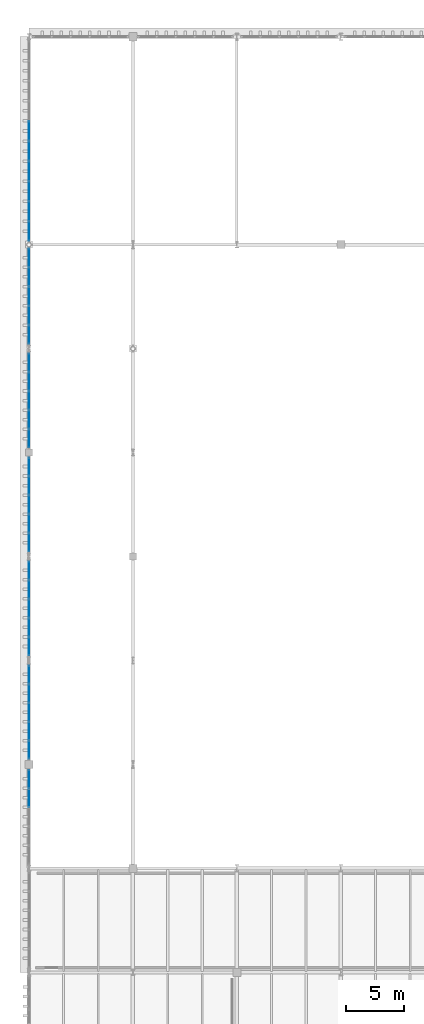
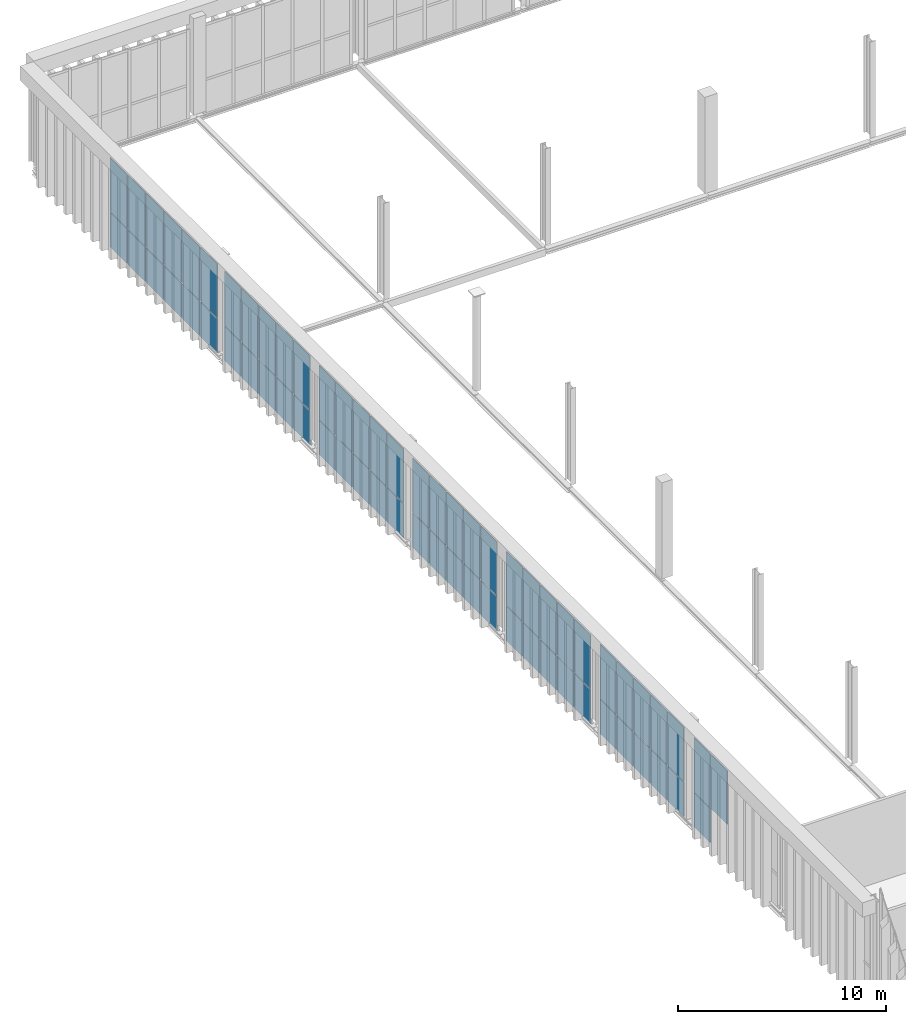
# One storey, part 187 of 237: 65 plates, 7 elements without a shape of their own.
"""IFC4 building model written with IfcOpenShell, lengths in metres."""

from ifc_helpers import new_model, si_unit, direction, frame, origin, origin_2d, place, context, subcontext, project, spatial, rectangle, extrude, material, layer, layer_set, type_object, element, aggregate, save


model = new_model("IFC4")

# Units and contexts
model_context = context("Model", 3, precision=1e-05, world=origin(), true_north=direction((0.0, 1.0)))
body_context = subcontext(model_context, "Body", "Model", "MODEL_VIEW")
ifc_project = project(units=[si_unit("LENGTHUNIT", "METRE"), si_unit("AREAUNIT", "SQUARE_METRE"), si_unit("VOLUMEUNIT", "CUBIC_METRE"), si_unit("PLANEANGLEUNIT", "RADIAN"), si_unit("MASSUNIT", "GRAM", prefix="KILO")], contexts=[model_context])

# Site, building, storey
site_placement = place(None, origin())
site = spatial("IfcSite", under=ifc_project, at=site_placement, CompositionType="ELEMENT")
building_placement = place(site_placement, origin())
building = spatial("IfcBuilding", under=site, at=building_placement, Name="Barlavento Convention Centre", CompositionType="ELEMENT")
storey_placement = place(building_placement, frame((0.0, 0.0, 12.0)))
storey = spatial("IfcBuildingStorey", under=building, at=storey_placement, Name="L02", CompositionType="ELEMENT", Elevation=12.0)

# Curtain wall, plates
ifc_material_1 = material(Name="Powder-coated aluminium and Low-E glass", Category="aluminium")
ifc_layer_1 = layer(ifc_material_1, 0.18505859375)
ifc_layer_set_1 = layer_set([ifc_layer_1], Name="ARC-CW-EXH-L02")
curtain_wall_type = type_object("IfcCurtainWallType", Name="ARC-CW-EXH-L02", PredefinedType="NOTDEFINED", material=ifc_layer_set_1)
curtain_wall_1_placement = place(storey_placement, origin())
curtain_wall_1 = element("IfcCurtainWall", 1, at=curtain_wall_1_placement, inside=storey, type_object=curtain_wall_type, Name="L02 unitised curtain wall CW05", PredefinedType="NOTDEFINED")
ifc_material_2 = material(Name="Insulated spandrel glass panel", Category="glass")
ifc_layer_2 = layer(ifc_material_2, 0.0400390625)
ifc_layer_set_2 = layer_set([ifc_layer_2], Name="ARC-CWP-SPN40")
plate_type = type_object("IfcPlateType", Name="ARC-CWP-SPN40", PredefinedType="CURTAIN_PANEL", material=ifc_layer_set_2)
plate_1_placement = place(storey_placement, frame((0.0, 69.1015625, 1.6298828125), z_axis=(0.0, 0.0, 1.0), x_axis=(0.0, 1.0, 0.0)))
plate_1 = element("IfcPlate", 2, at=plate_1_placement, type_object=plate_type, Name="CW05 panel 4.2", PredefinedType="CURTAIN_PANEL", context=body_context, shape_type="SweptSolid", body=[
    extrude(rectangle(XDim=1.58056640625, YDim=0.0400390625, at=origin_2d()), origin(), (0.0, 0.0, 1.0), 3.159912109375),
])
plate_2_placement = place(storey_placement, frame((0.0, 70.73095703125, -0.43994140625), z_axis=(0.0, 0.0, 1.0), x_axis=(0.0, 1.0, 0.0)))
plate_2 = element("IfcPlate", 3, at=plate_2_placement, type_object=plate_type, Name="CW05 panel 5.1", PredefinedType="CURTAIN_PANEL", context=body_context, shape_type="SweptSolid", body=[
    extrude(rectangle(XDim=1.548095703125, YDim=0.0400390625, at=origin_2d()), origin(), (0.0, 0.0, 1.0), 2.010009765625),
])
plate_3_placement = place(storey_placement, frame((0.0, 70.73095703125, 1.6298828125), z_axis=(0.0, 0.0, 1.0), x_axis=(0.0, 1.0, 0.0)))
plate_3 = element("IfcPlate", 4, at=plate_3_placement, type_object=plate_type, Name="CW05 panel 5.2", PredefinedType="CURTAIN_PANEL", context=body_context, shape_type="SweptSolid", body=[
    extrude(rectangle(XDim=1.548095703125, YDim=0.0400390625, at=origin_2d()), origin(), (0.0, 0.0, 1.0), 3.159912109375),
])
aggregate(curtain_wall_1, [plate_1, plate_2, plate_3])

curtain_wall_2_placement = place(storey_placement, origin())
curtain_wall_2 = element("IfcCurtainWall", 5, at=curtain_wall_2_placement, inside=storey, type_object=curtain_wall_type, Name="L02 unitised curtain wall CW05", PredefinedType="NOTDEFINED")
plate_4_placement = place(storey_placement, frame((0.0, 73.26416015625, -0.43994140625), z_axis=(0.0, 0.0, 1.0), x_axis=(0.0, 1.0, 0.0)))
plate_4 = element("IfcPlate", 6, at=plate_4_placement, type_object=plate_type, Name="CW05 panel 1.1", PredefinedType="CURTAIN_PANEL", context=body_context, shape_type="SweptSolid", body=[
    extrude(rectangle(XDim=1.53857421875, YDim=0.0400390625, at=origin_2d()), origin(), (0.0, 0.0, 1.0), 2.010009765625),
])
plate_5_placement = place(storey_placement, frame((0.0, 73.26416015625, 1.6298828125), z_axis=(0.0, 0.0, 1.0), x_axis=(0.0, 1.0, 0.0)))
plate_5 = element("IfcPlate", 7, at=plate_5_placement, type_object=plate_type, Name="CW05 panel 1.2", PredefinedType="CURTAIN_PANEL", context=body_context, shape_type="SweptSolid", body=[
    extrude(rectangle(XDim=1.53857421875, YDim=0.0400390625, at=origin_2d()), origin(), (0.0, 0.0, 1.0), 3.159912109375),
])
plate_6_placement = place(storey_placement, frame((0.0, 74.884033203125, -0.43994140625), z_axis=(0.0, 0.0, 1.0), x_axis=(0.0, 1.0, 0.0)))
plate_6 = element("IfcPlate", 8, at=plate_6_placement, type_object=plate_type, Name="CW05 panel 2.1", PredefinedType="CURTAIN_PANEL", context=body_context, shape_type="SweptSolid", body=[
    extrude(rectangle(XDim=1.571044921875, YDim=0.0400390625, at=origin_2d()), origin(), (0.0, 0.0, 1.0), 2.010009765625),
])
plate_7_placement = place(storey_placement, frame((0.0, 74.884033203125, 1.6298828125), z_axis=(0.0, 0.0, 1.0), x_axis=(0.0, 1.0, 0.0)))
plate_7 = element("IfcPlate", 9, at=plate_7_placement, type_object=plate_type, Name="CW05 panel 2.2", PredefinedType="CURTAIN_PANEL", context=body_context, shape_type="SweptSolid", body=[
    extrude(rectangle(XDim=1.571044921875, YDim=0.0400390625, at=origin_2d()), origin(), (0.0, 0.0, 1.0), 3.159912109375),
])
plate_8_placement = place(storey_placement, frame((0.0, 76.52001953125, -0.43994140625), z_axis=(0.0, 0.0, 1.0), x_axis=(0.0, 1.0, 0.0)))
plate_8 = element("IfcPlate", 10, at=plate_8_placement, type_object=plate_type, Name="CW05 panel 3.1", PredefinedType="CURTAIN_PANEL", context=body_context, shape_type="SweptSolid", body=[
    extrude(rectangle(XDim=1.571044921875, YDim=0.0400390625, at=origin_2d()), origin(), (0.0, 0.0, 1.0), 2.010009765625),
])
plate_9_placement = place(storey_placement, frame((0.0, 76.52001953125, 1.6298828125), z_axis=(0.0, 0.0, 1.0), x_axis=(0.0, 1.0, 0.0)))
plate_9 = element("IfcPlate", 11, at=plate_9_placement, type_object=plate_type, Name="CW05 panel 3.2", PredefinedType="CURTAIN_PANEL", context=body_context, shape_type="SweptSolid", body=[
    extrude(rectangle(XDim=1.571044921875, YDim=0.0400390625, at=origin_2d()), origin(), (0.0, 0.0, 1.0), 3.159912109375),
])
plate_10_placement = place(storey_placement, frame((0.0, 78.156005859375, -0.43994140625), z_axis=(0.0, 0.0, 1.0), x_axis=(0.0, 1.0, 0.0)))
plate_10 = element("IfcPlate", 12, at=plate_10_placement, type_object=plate_type, Name="CW05 panel 4.1", PredefinedType="CURTAIN_PANEL", context=body_context, shape_type="SweptSolid", body=[
    extrude(rectangle(XDim=1.571044921875, YDim=0.0400390625, at=origin_2d()), origin(), (0.0, 0.0, 1.0), 2.010009765625),
])
plate_11_placement = place(storey_placement, frame((0.0, 78.156005859375, 1.6298828125), z_axis=(0.0, 0.0, 1.0), x_axis=(0.0, 1.0, 0.0)))
plate_11 = element("IfcPlate", 13, at=plate_11_placement, type_object=plate_type, Name="CW05 panel 4.2", PredefinedType="CURTAIN_PANEL", context=body_context, shape_type="SweptSolid", body=[
    extrude(rectangle(XDim=1.571044921875, YDim=0.0400390625, at=origin_2d()), origin(), (0.0, 0.0, 1.0), 3.159912109375),
])
plate_12_placement = place(storey_placement, frame((0.0, 79.775634765625, -0.43994140625), z_axis=(0.0, 0.0, 1.0), x_axis=(0.0, 1.0, 0.0)))
plate_12 = element("IfcPlate", 14, at=plate_12_placement, type_object=plate_type, Name="CW05 panel 5.1", PredefinedType="CURTAIN_PANEL", context=body_context, shape_type="SweptSolid", body=[
    extrude(rectangle(XDim=1.53857421875, YDim=0.0400390625, at=origin_2d()), origin(), (0.0, 0.0, 1.0), 2.010009765625),
])
plate_13_placement = place(storey_placement, frame((0.0, 79.775634765625, 1.6298828125), z_axis=(0.0, 0.0, 1.0), x_axis=(0.0, 1.0, 0.0)))
plate_13 = element("IfcPlate", 15, at=plate_13_placement, type_object=plate_type, Name="CW05 panel 5.2", PredefinedType="CURTAIN_PANEL", context=body_context, shape_type="SweptSolid", body=[
    extrude(rectangle(XDim=1.53857421875, YDim=0.0400390625, at=origin_2d()), origin(), (0.0, 0.0, 1.0), 3.159912109375),
])
aggregate(curtain_wall_2, [plate_4, plate_5, plate_6, plate_7, plate_8, plate_9, plate_10, plate_11, plate_12, plate_13])

curtain_wall_3_placement = place(storey_placement, origin())
curtain_wall_3 = element("IfcCurtainWall", 16, at=curtain_wall_3_placement, inside=storey, type_object=curtain_wall_type, Name="L02 unitised curtain wall CW05", PredefinedType="NOTDEFINED")
plate_14_placement = place(storey_placement, frame((0.0, 82.229248046875, -0.43994140625), z_axis=(0.0, 0.0, 1.0), x_axis=(0.0, 1.0, 0.0)))
plate_14 = element("IfcPlate", 17, at=plate_14_placement, type_object=plate_type, Name="CW05 panel 1.1", PredefinedType="CURTAIN_PANEL", context=body_context, shape_type="SweptSolid", body=[
    extrude(rectangle(XDim=1.548583984375, YDim=0.0400390625, at=origin_2d()), origin(), (0.0, 0.0, 1.0), 2.010009765625),
])
plate_15_placement = place(storey_placement, frame((0.0, 82.229248046875, 1.6298828125), z_axis=(0.0, 0.0, 1.0), x_axis=(0.0, 1.0, 0.0)))
plate_15 = element("IfcPlate", 18, at=plate_15_placement, type_object=plate_type, Name="CW05 panel 1.2", PredefinedType="CURTAIN_PANEL", context=body_context, shape_type="SweptSolid", body=[
    extrude(rectangle(XDim=1.548583984375, YDim=0.0400390625, at=origin_2d()), origin(), (0.0, 0.0, 1.0), 3.159912109375),
])
plate_16_placement = place(storey_placement, frame((0.0, 83.85888671875, -0.43994140625), z_axis=(0.0, 0.0, 1.0), x_axis=(0.0, 1.0, 0.0)))
plate_16 = element("IfcPlate", 19, at=plate_16_placement, type_object=plate_type, Name="CW05 panel 2.1", PredefinedType="CURTAIN_PANEL", context=body_context, shape_type="SweptSolid", body=[
    extrude(rectangle(XDim=1.5810546875, YDim=0.0400390625, at=origin_2d()), origin(), (0.0, 0.0, 1.0), 2.010009765625),
])
plate_17_placement = place(storey_placement, frame((0.0, 83.85888671875, 1.6298828125), z_axis=(0.0, 0.0, 1.0), x_axis=(0.0, 1.0, 0.0)))
plate_17 = element("IfcPlate", 20, at=plate_17_placement, type_object=plate_type, Name="CW05 panel 2.2", PredefinedType="CURTAIN_PANEL", context=body_context, shape_type="SweptSolid", body=[
    extrude(rectangle(XDim=1.5810546875, YDim=0.0400390625, at=origin_2d()), origin(), (0.0, 0.0, 1.0), 3.159912109375),
])
plate_18_placement = place(storey_placement, frame((0.0, 85.5048828125, -0.43994140625), z_axis=(0.0, 0.0, 1.0), x_axis=(0.0, 1.0, 0.0)))
plate_18 = element("IfcPlate", 21, at=plate_18_placement, type_object=plate_type, Name="CW05 panel 3.1", PredefinedType="CURTAIN_PANEL", context=body_context, shape_type="SweptSolid", body=[
    extrude(rectangle(XDim=1.5810546875, YDim=0.0400390625, at=origin_2d()), origin(), (0.0, 0.0, 1.0), 2.010009765625),
])
plate_19_placement = place(storey_placement, frame((0.0, 85.5048828125, 1.6298828125), z_axis=(0.0, 0.0, 1.0), x_axis=(0.0, 1.0, 0.0)))
plate_19 = element("IfcPlate", 22, at=plate_19_placement, type_object=plate_type, Name="CW05 panel 3.2", PredefinedType="CURTAIN_PANEL", context=body_context, shape_type="SweptSolid", body=[
    extrude(rectangle(XDim=1.5810546875, YDim=0.0400390625, at=origin_2d()), origin(), (0.0, 0.0, 1.0), 3.159912109375),
])
plate_20_placement = place(storey_placement, frame((0.0, 87.15087890625, -0.43994140625), z_axis=(0.0, 0.0, 1.0), x_axis=(0.0, 1.0, 0.0)))
plate_20 = element("IfcPlate", 23, at=plate_20_placement, type_object=plate_type, Name="CW05 panel 4.1", PredefinedType="CURTAIN_PANEL", context=body_context, shape_type="SweptSolid", body=[
    extrude(rectangle(XDim=1.5810546875, YDim=0.0400390625, at=origin_2d()), origin(), (0.0, 0.0, 1.0), 2.010009765625),
])
plate_21_placement = place(storey_placement, frame((0.0, 87.15087890625, 1.6298828125), z_axis=(0.0, 0.0, 1.0), x_axis=(0.0, 1.0, 0.0)))
plate_21 = element("IfcPlate", 24, at=plate_21_placement, type_object=plate_type, Name="CW05 panel 4.2", PredefinedType="CURTAIN_PANEL", context=body_context, shape_type="SweptSolid", body=[
    extrude(rectangle(XDim=1.5810546875, YDim=0.0400390625, at=origin_2d()), origin(), (0.0, 0.0, 1.0), 3.159912109375),
])
plate_22_placement = place(storey_placement, frame((0.0, 88.78076171875, -0.43994140625), z_axis=(0.0, 0.0, 1.0), x_axis=(0.0, 1.0, 0.0)))
plate_22 = element("IfcPlate", 25, at=plate_22_placement, type_object=plate_type, Name="CW05 panel 5.1", PredefinedType="CURTAIN_PANEL", context=body_context, shape_type="SweptSolid", body=[
    extrude(rectangle(XDim=1.548583984375, YDim=0.0400390625, at=origin_2d()), origin(), (0.0, 0.0, 1.0), 2.010009765625),
])
plate_23_placement = place(storey_placement, frame((0.0, 88.78076171875, 1.6298828125), z_axis=(0.0, 0.0, 1.0), x_axis=(0.0, 1.0, 0.0)))
plate_23 = element("IfcPlate", 26, at=plate_23_placement, type_object=plate_type, Name="CW05 panel 5.2", PredefinedType="CURTAIN_PANEL", context=body_context, shape_type="SweptSolid", body=[
    extrude(rectangle(XDim=1.548583984375, YDim=0.0400390625, at=origin_2d()), origin(), (0.0, 0.0, 1.0), 3.159912109375),
])
aggregate(curtain_wall_3, [plate_14, plate_15, plate_16, plate_17, plate_18, plate_19, plate_20, plate_21, plate_22, plate_23])

curtain_wall_4_placement = place(storey_placement, origin())
curtain_wall_4 = element("IfcCurtainWall", 27, at=curtain_wall_4_placement, inside=storey, type_object=curtain_wall_type, Name="L02 unitised curtain wall CW05", PredefinedType="NOTDEFINED")
plate_24_placement = place(storey_placement, frame((0.0, 91.22021484375, -0.43994140625), z_axis=(0.0, 0.0, 1.0), x_axis=(0.0, 1.0, 0.0)))
plate_24 = element("IfcPlate", 28, at=plate_24_placement, type_object=plate_type, Name="CW05 panel 1.1", PredefinedType="CURTAIN_PANEL", context=body_context, shape_type="SweptSolid", body=[
    extrude(rectangle(XDim=1.550537109375, YDim=0.0400390625, at=origin_2d()), origin(), (0.0, 0.0, 1.0), 2.010009765625),
])
plate_25_placement = place(storey_placement, frame((0.0, 91.22021484375, 1.6298828125), z_axis=(0.0, 0.0, 1.0), x_axis=(0.0, 1.0, 0.0)))
plate_25 = element("IfcPlate", 29, at=plate_25_placement, type_object=plate_type, Name="CW05 panel 1.2", PredefinedType="CURTAIN_PANEL", context=body_context, shape_type="SweptSolid", body=[
    extrude(rectangle(XDim=1.550537109375, YDim=0.0400390625, at=origin_2d()), origin(), (0.0, 0.0, 1.0), 3.159912109375),
])
plate_26_placement = place(storey_placement, frame((0.0, 92.85205078125, -0.43994140625), z_axis=(0.0, 0.0, 1.0), x_axis=(0.0, 1.0, 0.0)))
plate_26 = element("IfcPlate", 30, at=plate_26_placement, type_object=plate_type, Name="CW05 panel 2.1", PredefinedType="CURTAIN_PANEL", context=body_context, shape_type="SweptSolid", body=[
    extrude(rectangle(XDim=1.5830078125, YDim=0.0400390625, at=origin_2d()), origin(), (0.0, 0.0, 1.0), 2.010009765625),
])
plate_27_placement = place(storey_placement, frame((0.0, 92.85205078125, 1.6298828125), z_axis=(0.0, 0.0, 1.0), x_axis=(0.0, 1.0, 0.0)))
plate_27 = element("IfcPlate", 31, at=plate_27_placement, type_object=plate_type, Name="CW05 panel 2.2", PredefinedType="CURTAIN_PANEL", context=body_context, shape_type="SweptSolid", body=[
    extrude(rectangle(XDim=1.5830078125, YDim=0.0400390625, at=origin_2d()), origin(), (0.0, 0.0, 1.0), 3.159912109375),
])
plate_28_placement = place(storey_placement, frame((0.0, 94.5, -0.43994140625), z_axis=(0.0, 0.0, 1.0), x_axis=(0.0, 1.0, 0.0)))
plate_28 = element("IfcPlate", 32, at=plate_28_placement, type_object=plate_type, Name="CW05 panel 3.1", PredefinedType="CURTAIN_PANEL", context=body_context, shape_type="SweptSolid", body=[
    extrude(rectangle(XDim=1.5830078125, YDim=0.0400390625, at=origin_2d()), origin(), (0.0, 0.0, 1.0), 2.010009765625),
])
plate_29_placement = place(storey_placement, frame((0.0, 94.5, 1.6298828125), z_axis=(0.0, 0.0, 1.0), x_axis=(0.0, 1.0, 0.0)))
plate_29 = element("IfcPlate", 33, at=plate_29_placement, type_object=plate_type, Name="CW05 panel 3.2", PredefinedType="CURTAIN_PANEL", context=body_context, shape_type="SweptSolid", body=[
    extrude(rectangle(XDim=1.5830078125, YDim=0.0400390625, at=origin_2d()), origin(), (0.0, 0.0, 1.0), 3.159912109375),
])
plate_30_placement = place(storey_placement, frame((0.0, 96.14794921875, -0.43994140625), z_axis=(0.0, 0.0, 1.0), x_axis=(0.0, 1.0, 0.0)))
plate_30 = element("IfcPlate", 34, at=plate_30_placement, type_object=plate_type, Name="CW05 panel 4.1", PredefinedType="CURTAIN_PANEL", context=body_context, shape_type="SweptSolid", body=[
    extrude(rectangle(XDim=1.5830078125, YDim=0.0400390625, at=origin_2d()), origin(), (0.0, 0.0, 1.0), 2.010009765625),
])
plate_31_placement = place(storey_placement, frame((0.0, 96.14794921875, 1.6298828125), z_axis=(0.0, 0.0, 1.0), x_axis=(0.0, 1.0, 0.0)))
plate_31 = element("IfcPlate", 35, at=plate_31_placement, type_object=plate_type, Name="CW05 panel 4.2", PredefinedType="CURTAIN_PANEL", context=body_context, shape_type="SweptSolid", body=[
    extrude(rectangle(XDim=1.5830078125, YDim=0.0400390625, at=origin_2d()), origin(), (0.0, 0.0, 1.0), 3.159912109375),
])
plate_32_placement = place(storey_placement, frame((0.0, 97.77978515625, -0.43994140625), z_axis=(0.0, 0.0, 1.0), x_axis=(0.0, 1.0, 0.0)))
plate_32 = element("IfcPlate", 36, at=plate_32_placement, type_object=plate_type, Name="CW05 panel 5.1", PredefinedType="CURTAIN_PANEL", context=body_context, shape_type="SweptSolid", body=[
    extrude(rectangle(XDim=1.550537109375, YDim=0.0400390625, at=origin_2d()), origin(), (0.0, 0.0, 1.0), 2.010009765625),
])
plate_33_placement = place(storey_placement, frame((0.0, 97.77978515625, 1.6298828125), z_axis=(0.0, 0.0, 1.0), x_axis=(0.0, 1.0, 0.0)))
plate_33 = element("IfcPlate", 37, at=plate_33_placement, type_object=plate_type, Name="CW05 panel 5.2", PredefinedType="CURTAIN_PANEL", context=body_context, shape_type="SweptSolid", body=[
    extrude(rectangle(XDim=1.550537109375, YDim=0.0400390625, at=origin_2d()), origin(), (0.0, 0.0, 1.0), 3.159912109375),
])
aggregate(curtain_wall_4, [plate_24, plate_25, plate_26, plate_27, plate_28, plate_29, plate_30, plate_31, plate_32, plate_33])

curtain_wall_5_placement = place(storey_placement, origin())
curtain_wall_5 = element("IfcCurtainWall", 38, at=curtain_wall_5_placement, inside=storey, type_object=curtain_wall_type, Name="L02 unitised curtain wall CW05", PredefinedType="NOTDEFINED")
plate_34_placement = place(storey_placement, frame((0.0, 100.2216796875, -0.43994140625), z_axis=(0.0, 0.0, 1.0), x_axis=(0.0, 1.0, 0.0)))
plate_34 = element("IfcPlate", 39, at=plate_34_placement, type_object=plate_type, Name="CW05 panel 1.1", PredefinedType="CURTAIN_PANEL", context=body_context, shape_type="SweptSolid", body=[
    extrude(rectangle(XDim=1.55322265625, YDim=0.0400390625, at=origin_2d()), origin(), (0.0, 0.0, 1.0), 2.010009765625),
])
plate_35_placement = place(storey_placement, frame((0.0, 100.2216796875, 1.6298828125), z_axis=(0.0, 0.0, 1.0), x_axis=(0.0, 1.0, 0.0)))
plate_35 = element("IfcPlate", 40, at=plate_35_placement, type_object=plate_type, Name="CW05 panel 1.2", PredefinedType="CURTAIN_PANEL", context=body_context, shape_type="SweptSolid", body=[
    extrude(rectangle(XDim=1.55322265625, YDim=0.0400390625, at=origin_2d()), origin(), (0.0, 0.0, 1.0), 3.159912109375),
])
plate_36_placement = place(storey_placement, frame((0.0, 101.856201171875, -0.43994140625), z_axis=(0.0, 0.0, 1.0), x_axis=(0.0, 1.0, 0.0)))
plate_36 = element("IfcPlate", 41, at=plate_36_placement, type_object=plate_type, Name="CW05 panel 2.1", PredefinedType="CURTAIN_PANEL", context=body_context, shape_type="SweptSolid", body=[
    extrude(rectangle(XDim=1.585693359375, YDim=0.0400390625, at=origin_2d()), origin(), (0.0, 0.0, 1.0), 2.010009765625),
])
plate_37_placement = place(storey_placement, frame((0.0, 101.856201171875, 1.6298828125), z_axis=(0.0, 0.0, 1.0), x_axis=(0.0, 1.0, 0.0)))
plate_37 = element("IfcPlate", 42, at=plate_37_placement, type_object=plate_type, Name="CW05 panel 2.2", PredefinedType="CURTAIN_PANEL", context=body_context, shape_type="SweptSolid", body=[
    extrude(rectangle(XDim=1.585693359375, YDim=0.0400390625, at=origin_2d()), origin(), (0.0, 0.0, 1.0), 3.159912109375),
])
plate_38_placement = place(storey_placement, frame((0.0, 103.507080078125, -0.43994140625), z_axis=(0.0, 0.0, 1.0), x_axis=(0.0, 1.0, 0.0)))
plate_38 = element("IfcPlate", 43, at=plate_38_placement, type_object=plate_type, Name="CW05 panel 3.1", PredefinedType="CURTAIN_PANEL", context=body_context, shape_type="SweptSolid", body=[
    extrude(rectangle(XDim=1.585693359375, YDim=0.0400390625, at=origin_2d()), origin(), (0.0, 0.0, 1.0), 2.010009765625),
])
plate_39_placement = place(storey_placement, frame((0.0, 103.507080078125, 1.6298828125), z_axis=(0.0, 0.0, 1.0), x_axis=(0.0, 1.0, 0.0)))
plate_39 = element("IfcPlate", 44, at=plate_39_placement, type_object=plate_type, Name="CW05 panel 3.2", PredefinedType="CURTAIN_PANEL", context=body_context, shape_type="SweptSolid", body=[
    extrude(rectangle(XDim=1.585693359375, YDim=0.0400390625, at=origin_2d()), origin(), (0.0, 0.0, 1.0), 3.159912109375),
])
plate_40_placement = place(storey_placement, frame((0.0, 105.15771484375, -0.43994140625), z_axis=(0.0, 0.0, 1.0), x_axis=(0.0, 1.0, 0.0)))
plate_40 = element("IfcPlate", 45, at=plate_40_placement, type_object=plate_type, Name="CW05 panel 4.1", PredefinedType="CURTAIN_PANEL", context=body_context, shape_type="SweptSolid", body=[
    extrude(rectangle(XDim=1.585693359375, YDim=0.0400390625, at=origin_2d()), origin(), (0.0, 0.0, 1.0), 2.010009765625),
])
plate_41_placement = place(storey_placement, frame((0.0, 105.15771484375, 1.6298828125), z_axis=(0.0, 0.0, 1.0), x_axis=(0.0, 1.0, 0.0)))
plate_41 = element("IfcPlate", 46, at=plate_41_placement, type_object=plate_type, Name="CW05 panel 4.2", PredefinedType="CURTAIN_PANEL", context=body_context, shape_type="SweptSolid", body=[
    extrude(rectangle(XDim=1.585693359375, YDim=0.0400390625, at=origin_2d()), origin(), (0.0, 0.0, 1.0), 3.159912109375),
])
plate_42_placement = place(storey_placement, frame((0.0, 106.792236328125, -0.43994140625), z_axis=(0.0, 0.0, 1.0), x_axis=(0.0, 1.0, 0.0)))
plate_42 = element("IfcPlate", 47, at=plate_42_placement, type_object=plate_type, Name="CW05 panel 5.1", PredefinedType="CURTAIN_PANEL", context=body_context, shape_type="SweptSolid", body=[
    extrude(rectangle(XDim=1.55322265625, YDim=0.0400390625, at=origin_2d()), origin(), (0.0, 0.0, 1.0), 2.010009765625),
])
plate_43_placement = place(storey_placement, frame((0.0, 106.792236328125, 1.6298828125), z_axis=(0.0, 0.0, 1.0), x_axis=(0.0, 1.0, 0.0)))
plate_43 = element("IfcPlate", 48, at=plate_43_placement, type_object=plate_type, Name="CW05 panel 5.2", PredefinedType="CURTAIN_PANEL", context=body_context, shape_type="SweptSolid", body=[
    extrude(rectangle(XDim=1.55322265625, YDim=0.0400390625, at=origin_2d()), origin(), (0.0, 0.0, 1.0), 3.159912109375),
])
aggregate(curtain_wall_5, [plate_34, plate_35, plate_36, plate_37, plate_38, plate_39, plate_40, plate_41, plate_42, plate_43])

curtain_wall_6_placement = place(storey_placement, origin())
curtain_wall_6 = element("IfcCurtainWall", 49, at=curtain_wall_6_placement, inside=storey, type_object=curtain_wall_type, Name="L02 unitised curtain wall CW05", PredefinedType="NOTDEFINED")
plate_44_placement = place(storey_placement, frame((0.0, 109.21728515625, -0.43994140625), z_axis=(0.0, 0.0, 1.0), x_axis=(0.0, 1.0, 0.0)))
plate_44 = element("IfcPlate", 50, at=plate_44_placement, type_object=plate_type, Name="CW05 panel 1.1", PredefinedType="CURTAIN_PANEL", context=body_context, shape_type="SweptSolid", body=[
    extrude(rectangle(XDim=1.57275390625, YDim=0.0400390625, at=origin_2d()), origin(), (0.0, 0.0, 1.0), 2.010009765625),
])
plate_45_placement = place(storey_placement, frame((0.0, 109.21728515625, 1.6298828125), z_axis=(0.0, 0.0, 1.0), x_axis=(0.0, 1.0, 0.0)))
plate_45 = element("IfcPlate", 51, at=plate_45_placement, type_object=plate_type, Name="CW05 panel 1.2", PredefinedType="CURTAIN_PANEL", context=body_context, shape_type="SweptSolid", body=[
    extrude(rectangle(XDim=1.57275390625, YDim=0.0400390625, at=origin_2d()), origin(), (0.0, 0.0, 1.0), 3.159912109375),
])
plate_46_placement = place(storey_placement, frame((0.0, 110.871337890625, -0.43994140625), z_axis=(0.0, 0.0, 1.0), x_axis=(0.0, 1.0, 0.0)))
plate_46 = element("IfcPlate", 52, at=plate_46_placement, type_object=plate_type, Name="CW05 panel 2.1", PredefinedType="CURTAIN_PANEL", context=body_context, shape_type="SweptSolid", body=[
    extrude(rectangle(XDim=1.605224609375, YDim=0.0400390625, at=origin_2d()), origin(), (0.0, 0.0, 1.0), 2.010009765625),
])
plate_47_placement = place(storey_placement, frame((0.0, 110.871337890625, 1.6298828125), z_axis=(0.0, 0.0, 1.0), x_axis=(0.0, 1.0, 0.0)))
plate_47 = element("IfcPlate", 53, at=plate_47_placement, type_object=plate_type, Name="CW05 panel 2.2", PredefinedType="CURTAIN_PANEL", context=body_context, shape_type="SweptSolid", body=[
    extrude(rectangle(XDim=1.605224609375, YDim=0.0400390625, at=origin_2d()), origin(), (0.0, 0.0, 1.0), 3.159912109375),
])
plate_48_placement = place(storey_placement, frame((0.0, 112.54150390625, -0.43994140625), z_axis=(0.0, 0.0, 1.0), x_axis=(0.0, 1.0, 0.0)))
plate_48 = element("IfcPlate", 54, at=plate_48_placement, type_object=plate_type, Name="CW05 panel 3.1", PredefinedType="CURTAIN_PANEL", context=body_context, shape_type="SweptSolid", body=[
    extrude(rectangle(XDim=1.605224609375, YDim=0.0400390625, at=origin_2d()), origin(), (0.0, 0.0, 1.0), 2.010009765625),
])
plate_49_placement = place(storey_placement, frame((0.0, 112.54150390625, 1.6298828125), z_axis=(0.0, 0.0, 1.0), x_axis=(0.0, 1.0, 0.0)))
plate_49 = element("IfcPlate", 55, at=plate_49_placement, type_object=plate_type, Name="CW05 panel 3.2", PredefinedType="CURTAIN_PANEL", context=body_context, shape_type="SweptSolid", body=[
    extrude(rectangle(XDim=1.605224609375, YDim=0.0400390625, at=origin_2d()), origin(), (0.0, 0.0, 1.0), 3.159912109375),
])
plate_50_placement = place(storey_placement, frame((0.0, 114.211669921875, -0.43994140625), z_axis=(0.0, 0.0, 1.0), x_axis=(0.0, 1.0, 0.0)))
plate_50 = element("IfcPlate", 56, at=plate_50_placement, type_object=plate_type, Name="CW05 panel 4.1", PredefinedType="CURTAIN_PANEL", context=body_context, shape_type="SweptSolid", body=[
    extrude(rectangle(XDim=1.605224609375, YDim=0.0400390625, at=origin_2d()), origin(), (0.0, 0.0, 1.0), 2.010009765625),
])
plate_51_placement = place(storey_placement, frame((0.0, 114.211669921875, 1.6298828125), z_axis=(0.0, 0.0, 1.0), x_axis=(0.0, 1.0, 0.0)))
plate_51 = element("IfcPlate", 57, at=plate_51_placement, type_object=plate_type, Name="CW05 panel 4.2", PredefinedType="CURTAIN_PANEL", context=body_context, shape_type="SweptSolid", body=[
    extrude(rectangle(XDim=1.605224609375, YDim=0.0400390625, at=origin_2d()), origin(), (0.0, 0.0, 1.0), 3.159912109375),
])
plate_52_placement = place(storey_placement, frame((0.0, 115.865478515625, -0.43994140625), z_axis=(0.0, 0.0, 1.0), x_axis=(0.0, 1.0, 0.0)))
plate_52 = element("IfcPlate", 58, at=plate_52_placement, type_object=plate_type, Name="CW05 panel 5.1", PredefinedType="CURTAIN_PANEL", context=body_context, shape_type="SweptSolid", body=[
    extrude(rectangle(XDim=1.57275390625, YDim=0.0400390625, at=origin_2d()), origin(), (0.0, 0.0, 1.0), 2.010009765625),
])
plate_53_placement = place(storey_placement, frame((0.0, 115.865478515625, 1.6298828125), z_axis=(0.0, 0.0, 1.0), x_axis=(0.0, 1.0, 0.0)))
plate_53 = element("IfcPlate", 59, at=plate_53_placement, type_object=plate_type, Name="CW05 panel 5.2", PredefinedType="CURTAIN_PANEL", context=body_context, shape_type="SweptSolid", body=[
    extrude(rectangle(XDim=1.57275390625, YDim=0.0400390625, at=origin_2d()), origin(), (0.0, 0.0, 1.0), 3.159912109375),
])
aggregate(curtain_wall_6, [plate_44, plate_45, plate_46, plate_47, plate_48, plate_49, plate_50, plate_51, plate_52, plate_53])

curtain_wall_7_placement = place(storey_placement, origin())
curtain_wall_7 = element("IfcCurtainWall", 60, at=curtain_wall_7_placement, inside=storey, type_object=curtain_wall_type, Name="L02 unitised curtain wall CW05", PredefinedType="NOTDEFINED")
plate_54_placement = place(storey_placement, frame((0.0, 118.168212890625, -0.43994140625), z_axis=(0.0, 0.0, 1.0), x_axis=(0.0, 1.0, 0.0)))
plate_54 = element("IfcPlate", 61, at=plate_54_placement, type_object=plate_type, Name="CW05 panel 1.1", PredefinedType="CURTAIN_PANEL", context=body_context, shape_type="SweptSolid", body=[
    extrude(rectangle(XDim=1.639892578125, YDim=0.0400390625, at=origin_2d()), origin(), (0.0, 0.0, 1.0), 2.010009765625),
])
plate_55_placement = place(storey_placement, frame((0.0, 118.168212890625, 1.6298828125), z_axis=(0.0, 0.0, 1.0), x_axis=(0.0, 1.0, 0.0)))
plate_55 = element("IfcPlate", 62, at=plate_55_placement, type_object=plate_type, Name="CW05 panel 1.2", PredefinedType="CURTAIN_PANEL", context=body_context, shape_type="SweptSolid", body=[
    extrude(rectangle(XDim=1.639892578125, YDim=0.0400390625, at=origin_2d()), origin(), (0.0, 0.0, 1.0), 3.159912109375),
])
plate_56_placement = place(storey_placement, frame((0.0, 119.889404296875, -0.43994140625), z_axis=(0.0, 0.0, 1.0), x_axis=(0.0, 1.0, 0.0)))
plate_56 = element("IfcPlate", 63, at=plate_56_placement, type_object=plate_type, Name="CW05 panel 2.1", PredefinedType="CURTAIN_PANEL", context=body_context, shape_type="SweptSolid", body=[
    extrude(rectangle(XDim=1.67236328125, YDim=0.0400390625, at=origin_2d()), origin(), (0.0, 0.0, 1.0), 2.010009765625),
])
plate_57_placement = place(storey_placement, frame((0.0, 119.889404296875, 1.6298828125), z_axis=(0.0, 0.0, 1.0), x_axis=(0.0, 1.0, 0.0)))
plate_57 = element("IfcPlate", 64, at=plate_57_placement, type_object=plate_type, Name="CW05 panel 2.2", PredefinedType="CURTAIN_PANEL", context=body_context, shape_type="SweptSolid", body=[
    extrude(rectangle(XDim=1.67236328125, YDim=0.0400390625, at=origin_2d()), origin(), (0.0, 0.0, 1.0), 3.159912109375),
])
plate_58_placement = place(storey_placement, frame((0.0, 121.626953125, -0.43994140625), z_axis=(0.0, 0.0, 1.0), x_axis=(0.0, 1.0, 0.0)))
plate_58 = element("IfcPlate", 65, at=plate_58_placement, type_object=plate_type, Name="CW05 panel 3.1", PredefinedType="CURTAIN_PANEL", context=body_context, shape_type="SweptSolid", body=[
    extrude(rectangle(XDim=1.67236328125, YDim=0.0400390625, at=origin_2d()), origin(), (0.0, 0.0, 1.0), 2.010009765625),
])
plate_59_placement = place(storey_placement, frame((0.0, 121.626953125, 1.6298828125), z_axis=(0.0, 0.0, 1.0), x_axis=(0.0, 1.0, 0.0)))
plate_59 = element("IfcPlate", 66, at=plate_59_placement, type_object=plate_type, Name="CW05 panel 3.2", PredefinedType="CURTAIN_PANEL", context=body_context, shape_type="SweptSolid", body=[
    extrude(rectangle(XDim=1.67236328125, YDim=0.0400390625, at=origin_2d()), origin(), (0.0, 0.0, 1.0), 3.159912109375),
])
plate_60_placement = place(storey_placement, frame((0.0, 123.364501953125, -0.43994140625), z_axis=(0.0, 0.0, 1.0), x_axis=(0.0, 1.0, 0.0)))
plate_60 = element("IfcPlate", 67, at=plate_60_placement, type_object=plate_type, Name="CW05 panel 4.1", PredefinedType="CURTAIN_PANEL", context=body_context, shape_type="SweptSolid", body=[
    extrude(rectangle(XDim=1.67236328125, YDim=0.0400390625, at=origin_2d()), origin(), (0.0, 0.0, 1.0), 2.010009765625),
])
plate_61_placement = place(storey_placement, frame((0.0, 123.364501953125, 1.6298828125), z_axis=(0.0, 0.0, 1.0), x_axis=(0.0, 1.0, 0.0)))
plate_61 = element("IfcPlate", 68, at=plate_61_placement, type_object=plate_type, Name="CW05 panel 4.2", PredefinedType="CURTAIN_PANEL", context=body_context, shape_type="SweptSolid", body=[
    extrude(rectangle(XDim=1.67236328125, YDim=0.0400390625, at=origin_2d()), origin(), (0.0, 0.0, 1.0), 3.159912109375),
])
plate_62_placement = place(storey_placement, frame((0.0, 125.101806640625, -0.43994140625), z_axis=(0.0, 0.0, 1.0), x_axis=(0.0, 1.0, 0.0)))
plate_62 = element("IfcPlate", 69, at=plate_62_placement, type_object=plate_type, Name="CW05 panel 5.1", PredefinedType="CURTAIN_PANEL", context=body_context, shape_type="SweptSolid", body=[
    extrude(rectangle(XDim=1.67236328125, YDim=0.0400390625, at=origin_2d()), origin(), (0.0, 0.0, 1.0), 2.010009765625),
])
plate_63_placement = place(storey_placement, frame((0.0, 125.101806640625, 1.6298828125), z_axis=(0.0, 0.0, 1.0), x_axis=(0.0, 1.0, 0.0)))
plate_63 = element("IfcPlate", 70, at=plate_63_placement, type_object=plate_type, Name="CW05 panel 5.2", PredefinedType="CURTAIN_PANEL", context=body_context, shape_type="SweptSolid", body=[
    extrude(rectangle(XDim=1.67236328125, YDim=0.0400390625, at=origin_2d()), origin(), (0.0, 0.0, 1.0), 3.159912109375),
])
plate_64_placement = place(storey_placement, frame((0.0, 126.83935546875, -0.43994140625), z_axis=(0.0, 0.0, 1.0), x_axis=(0.0, 1.0, 0.0)))
plate_64 = element("IfcPlate", 71, at=plate_64_placement, type_object=plate_type, Name="CW05 panel 6.1", PredefinedType="CURTAIN_PANEL", context=body_context, shape_type="SweptSolid", body=[
    extrude(rectangle(XDim=1.67236328125, YDim=0.0400390625, at=origin_2d()), origin(), (0.0, 0.0, 1.0), 2.010009765625),
])
plate_65_placement = place(storey_placement, frame((0.0, 126.83935546875, 1.6298828125), z_axis=(0.0, 0.0, 1.0), x_axis=(0.0, 1.0, 0.0)))
plate_65 = element("IfcPlate", 72, at=plate_65_placement, type_object=plate_type, Name="CW05 panel 6.2", PredefinedType="CURTAIN_PANEL", context=body_context, shape_type="SweptSolid", body=[
    extrude(rectangle(XDim=1.67236328125, YDim=0.0400390625, at=origin_2d()), origin(), (0.0, 0.0, 1.0), 3.159912109375),
])
aggregate(curtain_wall_7, [plate_54, plate_55, plate_56, plate_57, plate_58, plate_59, plate_60, plate_61, plate_62, plate_63, plate_64, plate_65])

save(model, "model.ifc")
